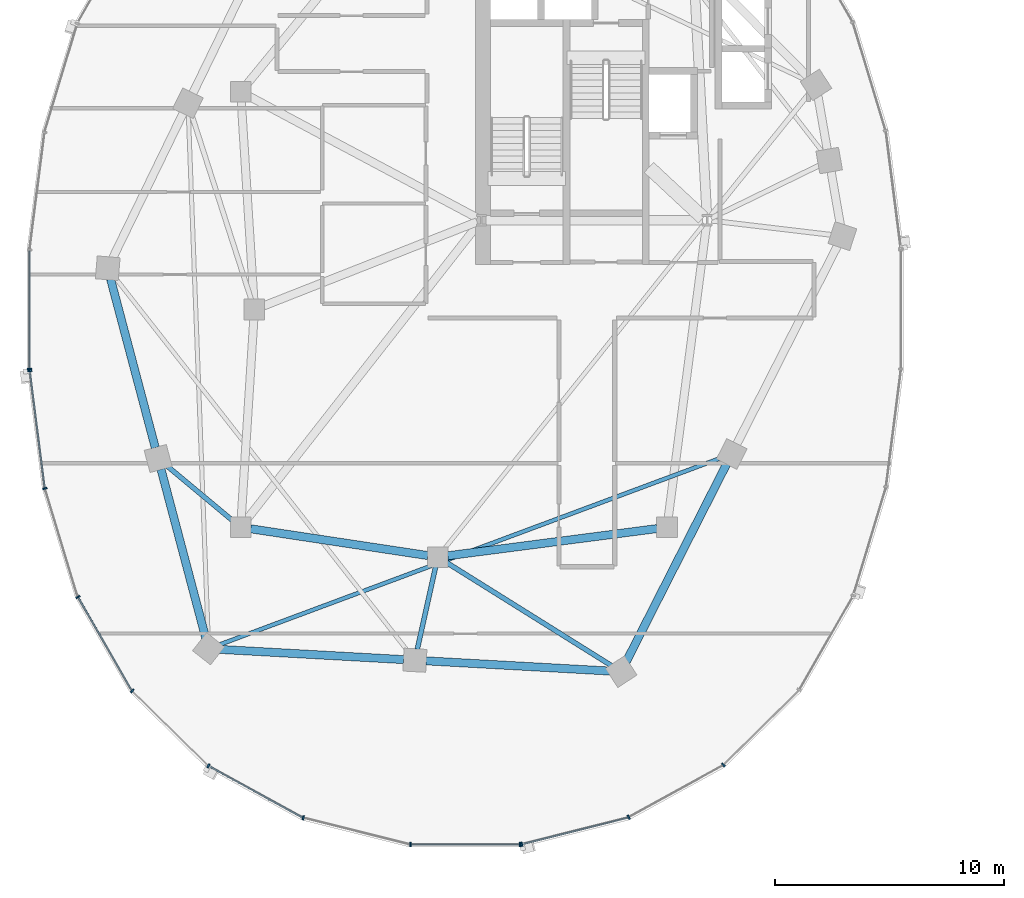
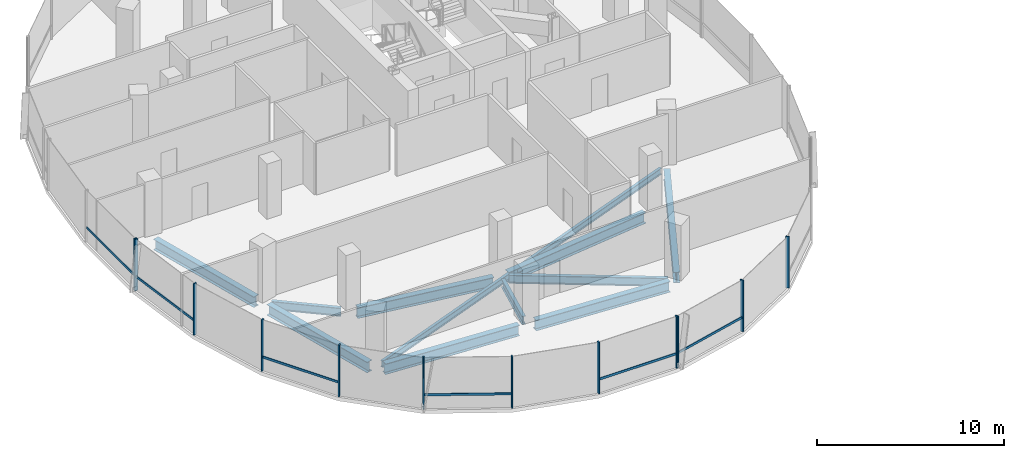
# One storey, part 2 of 23: 18 members, 11 beams, 3 elements without a shape of their own.
"""IFC4 building model written with IfcOpenShell, lengths in metres."""

from ifc_helpers import new_model, si_unit, direction, frame, origin, origin_2d, place, context, subcontext, project, spatial, rectangle, i_section, extrude, material, material_profile, profile_set, type_object, element, aggregate, save


model = new_model("IFC4")

# Units and contexts
model_context = context("Model", 3, precision=1e-05, world=origin(), true_north=direction((0.0, 1.0)))
body_context = subcontext(model_context, "Body", "Model", "MODEL_VIEW")
ifc_project = project(units=[si_unit("LENGTHUNIT", "METRE"), si_unit("AREAUNIT", "SQUARE_METRE"), si_unit("VOLUMEUNIT", "CUBIC_METRE"), si_unit("PLANEANGLEUNIT", "RADIAN"), si_unit("MASSUNIT", "GRAM", prefix="KILO"), si_unit("THERMODYNAMICTEMPERATUREUNIT", "KELVIN"), si_unit("POWERUNIT", "WATT")], contexts=[model_context])

# Site, building, storey
site_placement = place(None, origin())
site = spatial("IfcSite", under=ifc_project, at=site_placement, CompositionType="ELEMENT")
building_placement = place(site_placement, origin())
building = spatial("IfcBuilding", under=site, at=building_placement, Name="Cundina Bronze Exchange", CompositionType="ELEMENT")
storey_placement = place(building_placement, frame((0.0, 0.0, 169.199951171875)))
storey = spatial("IfcBuildingStorey", under=building, at=storey_placement, Name="L44", CompositionType="ELEMENT", Elevation=169.199951171875)

# Beams
ifc_material_1 = material(Name="Steel ASTM A992 Grade 50", Category="steel")
ifc_material_profile_1 = material_profile(ifc_material_1, i_section(OverallWidth=0.2119140625, OverallDepth=0.5439453125, WebThickness=0.01318359375, FlangeThickness=0.021240234375, FilletRadius=0.013916015625, at=origin_2d()), Name="W21X83", Category="steel")
ifc_profile_set_1 = profile_set([ifc_material_profile_1], Name="Steel ASTM A992 Grade 50")
beam_type_1 = type_object("IfcBeamType", Name="BM-FLR-W21A", PredefinedType="BEAM", material=ifc_profile_set_1)
beam_1_placement = place(storey_placement, frame((-42.136474609375, -9.219482421875, -0.511962890625), z_axis=(-0.768253211489, 0.640146079451, 0.0), x_axis=(-0.640146079451, -0.768253211489, 0.0)))
element("IfcBeam", 1, at=beam_1_placement, inside=storey, type_object=beam_type_1, Name="L44 Leg W Radial Floor Beam 09", PredefinedType="BEAM", context=body_context, shape_type="SweptSolid", body=[
    extrude(i_section(OverallWidth=0.2119140625, OverallDepth=0.5439453125, WebThickness=0.01318359375, FlangeThickness=0.021240234375, FilletRadius=0.013916015625, at=origin_2d()), origin(), (0.0, 0.0, 1.0), 3.760009765625),
])
beam_2_placement = place(storey_placement, frame((-33.294921875, -11.2275390625, -0.511962890625), z_axis=(-0.216923440287, -0.976188619609, 0.0), x_axis=(0.976188619609, -0.216923440287, 0.0)))
element("IfcBeam", 2, at=beam_2_placement, inside=storey, type_object=beam_type_1, Name="L44 Leg W Radial Floor Beam 11", PredefinedType="BEAM", context=body_context, shape_type="SweptSolid", body=[
    extrude(i_section(OverallWidth=0.2119140625, OverallDepth=0.5439453125, WebThickness=0.01318359375, FlangeThickness=0.021240234375, FilletRadius=0.013916015625, at=origin_2d()), origin(), (0.0, 0.0, 1.0), 3.68359375),
])
beam_3_placement = place(storey_placement, frame((-32.82861328125, -11.031982421875, -0.511962890625), z_axis=(0.847985407265, -0.530019574228, 0.0), x_axis=(0.530019574228, 0.847985407265, 0.0)))
element("IfcBeam", 3, at=beam_3_placement, inside=storey, type_object=beam_type_1, Name="L44 Leg W Radial Floor Beam 12", PredefinedType="BEAM", context=body_context, shape_type="SweptSolid", body=[
    extrude(i_section(OverallWidth=0.2119140625, OverallDepth=0.5439453125, WebThickness=0.01318359375, FlangeThickness=0.021240234375, FilletRadius=0.013916015625, at=origin_2d()), origin(), (0.0, 0.0, 1.0), 8.50830078125),
])
ifc_material_profile_2 = material_profile(ifc_material_1, i_section(OverallWidth=0.178955078125, OverallDepth=0.409912109375, WebThickness=0.0087890625, FlangeThickness=0.014404296875, FilletRadius=0.010986328125, at=origin_2d()), Name="W16X45", Category="steel")
ifc_profile_set_2 = profile_set([ifc_material_profile_2], Name="Steel ASTM A992 Grade 50")
beam_type_2 = type_object("IfcBeamType", Name="BM-JST-W16", PredefinedType="JOIST", material=ifc_profile_set_2)
beam_4_placement = place(storey_placement, frame((-42.74267578125, -14.629638671875, -0.445068359375), z_axis=(0.937127922351, 0.348986041483, 0.0), x_axis=(-0.348986041483, 0.937127922351, 0.0)))
element("IfcBeam", 4, at=beam_4_placement, inside=storey, type_object=beam_type_2, Name="L44 Leg W Lobe Floor Joist 10-13", PredefinedType="JOIST", context=body_context, shape_type="SweptSolid", body=[
    extrude(i_section(OverallWidth=0.178955078125, OverallDepth=0.409912109375, WebThickness=0.0087890625, FlangeThickness=0.014404296875, FilletRadius=0.010986328125, at=origin_2d()), origin(), (0.0, 0.0, 1.0), 23.38037109375),
])
ifc_material_profile_3 = material_profile(ifc_material_1, i_section(OverallWidth=0.35498046875, OverallDepth=0.695068359375, WebThickness=0.015380859375, FlangeThickness=0.02490234375, FilletRadius=0.01806640625, at=origin_2d()), Name="W27X146", Category="steel")
ifc_profile_set_3 = profile_set([ifc_material_profile_3], Name="Steel ASTM A992 Grade 50")
beam_type_3 = type_object("IfcBeamType", Name="BM-RING-W27", PredefinedType="USERDEFINED", material=ifc_profile_set_3)
beam_5_placement = place(storey_placement, frame((-41.366943359375, -9.5654296875, -0.58740234375), z_axis=(0.988764903598, -0.149478979839, 0.0), x_axis=(0.149478979839, 0.988764903598, 0.0)))
element("IfcBeam", 5, at=beam_5_placement, inside=storey, type_object=beam_type_3, Name="L44 W Inner Structural Ring Girder 05", ObjectType="GIRDER", PredefinedType="USERDEFINED", context=body_context, shape_type="SweptSolid", body=[
    extrude(i_section(OverallWidth=0.35498046875, OverallDepth=0.695068359375, WebThickness=0.015380859375, FlangeThickness=0.02490234375, FilletRadius=0.01806640625, at=origin_2d()), origin(), (0.0, 0.0, 1.0), 7.82177734375),
])
beam_6_placement = place(storey_placement, frame((-32.765625, -10.743408203125, -0.58740234375), z_axis=(0.991656498582, 0.128908451316, 0.0), x_axis=(-0.128908451316, 0.991656498582, 0.0)))
element("IfcBeam", 6, at=beam_6_placement, inside=storey, type_object=beam_type_3, Name="L44 W Inner Structural Ring Girder 06", ObjectType="GIRDER", PredefinedType="USERDEFINED", context=body_context, shape_type="SweptSolid", body=[
    extrude(i_section(OverallWidth=0.35498046875, OverallDepth=0.695068359375, WebThickness=0.015380859375, FlangeThickness=0.02490234375, FilletRadius=0.01806640625, at=origin_2d()), origin(), (0.0, 0.0, 1.0), 9.208251953125),
])
for number, where, z_axis, x_axis, name in (
    (7, (-47.47509765625, 1.328369140625, -0.58740234375), (0.256240814108, -0.966612975904, 0.0), (0.966612975904, 0.256240814108, 0.0), "L44 W Perimeter Ring Girder 08"),
    (8, (-45.27490234375, -6.9716796875, -0.58740234375), (0.256210841755, -0.96662092082, 0.0), (0.96662092082, 0.256210841755, 0.0), "L44 W Perimeter Ring Girder 09"),
):
    element("IfcBeam", number, at=place(storey_placement, frame(where, z_axis=z_axis, x_axis=x_axis)), inside=storey, type_object=beam_type_3, Name=name, ObjectType="GIRDER", PredefinedType="USERDEFINED", context=body_context, shape_type="SweptSolid", body=[
        extrude(i_section(OverallWidth=0.35498046875, OverallDepth=0.695068359375, WebThickness=0.015380859375, FlangeThickness=0.02490234375, FilletRadius=0.01806640625, at=origin_2d()), origin(), (0.0, 0.0, 1.0), 7.61083984375),
    ])
for number, where, z_axis, x_axis, name in (
    (9, (-42.712890625, -14.8271484375, -0.58740234375), (0.998460820451, -0.055461608559, 0.0), (0.055461608559, 0.998460820451, 0.0), "L44 W Perimeter Ring Girder 10"),
    (10, (-33.712890625, -15.3271484375, -0.58740234375), (0.998460820451, -0.055461608559, 0.0), (0.055461608559, 0.998460820451, 0.0), "L44 W Perimeter Ring Girder 11"),
):
    element("IfcBeam", number, at=place(storey_placement, frame(where, z_axis=z_axis, x_axis=x_axis)), inside=storey, type_object=beam_type_3, Name=name, ObjectType="GIRDER", PredefinedType="USERDEFINED", context=body_context, shape_type="SweptSolid", body=[
        extrude(i_section(OverallWidth=0.35498046875, OverallDepth=0.695068359375, WebThickness=0.015380859375, FlangeThickness=0.02490234375, FilletRadius=0.01806640625, at=origin_2d()), origin(), (0.0, 0.0, 1.0), 8.0380859375),
    ])
beam_7_placement = place(storey_placement, frame((-24.97900390625, -15.364990234375, -0.58740234375), z_axis=(0.452834585354, 0.891594548159, 0.0), x_axis=(-0.891594548159, 0.452834585354, 0.0)))
element("IfcBeam", 11, at=beam_7_placement, inside=storey, type_object=beam_type_3, Name="L44 W Perimeter Ring Girder 12", ObjectType="GIRDER", PredefinedType="USERDEFINED", context=body_context, shape_type="SweptSolid", body=[
    extrude(i_section(OverallWidth=0.35498046875, OverallDepth=0.695068359375, WebThickness=0.015380859375, FlangeThickness=0.02490234375, FilletRadius=0.01806640625, at=origin_2d()), origin(), (0.0, 0.0, 1.0), 9.67919921875),
])

# Curtain wall, member
ifc_material_2 = material(Name="Anodised Bronze Aluminium 6063-T6", Category="aluminium")
curtain_wall_type = type_object("IfcCurtainWallType", Name="CWS-WST-PIN", PredefinedType="NOTDEFINED", material=ifc_material_2)
curtain_wall_1_placement = place(storey_placement, origin())
curtain_wall_1 = element("IfcCurtainWall", 12, at=curtain_wall_1_placement, inside=storey, type_object=curtain_wall_type, Name="L44 CW-04 Curtain Wall Run CWR-L44-W2", PredefinedType="NOTDEFINED")
ifc_material_profile_4 = material_profile(ifc_material_2, rectangle(XDim=0.070068359375, YDim=0.18994140625, at=origin_2d()), Name="AL70X190", Category="aluminium")
ifc_profile_set_4 = profile_set([ifc_material_profile_4], Name="Anodised Bronze Aluminium 6063-T6")
member_type_1 = type_object("IfcMemberType", Name="CWM-MUL-190", PredefinedType="MULLION", material=ifc_profile_set_4)
member_1_placement = place(storey_placement, frame((-51.007080078125, -2.593017578125, 0.0), z_axis=(0.0, 0.0, 1.0), x_axis=(0.0, -1.0, 0.0)))
member_1 = element("IfcMember", 13, at=member_1_placement, type_object=member_type_1, Name="CW-04 End Mullion", PredefinedType="MULLION", context=body_context, shape_type="SweptSolid", body=[
    extrude(rectangle(XDim=0.070068359375, YDim=0.18994140625, at=origin_2d()), origin(), (0.0, 0.0, 1.0), 3.360107421875),
])

# Curtain wall, members
curtain_wall_2_placement = place(storey_placement, origin())
curtain_wall_2 = element("IfcCurtainWall", 14, at=curtain_wall_2_placement, inside=storey, type_object=curtain_wall_type, Name="L44 CW-04 Curtain Wall Run CWR-L44-W3", PredefinedType="NOTDEFINED")
member_2_placement = place(storey_placement, frame((-51.001708984375, -2.676025390625, 0.0), z_axis=(0.0, 0.0, 1.0), x_axis=(0.126545236492, -0.991960837494, 0.0)))
member_2 = element("IfcMember", 15, at=member_2_placement, type_object=member_type_1, Name="CW-04 Mullion 1", PredefinedType="MULLION", context=body_context, shape_type="SweptSolid", body=[
    extrude(rectangle(XDim=0.070068359375, YDim=0.18994140625, at=origin_2d()), origin(), (0.0, 0.0, 1.0), 3.360107421875),
])
member_3_placement = place(storey_placement, frame((-50.3408203125, -7.80859375, 0.0), z_axis=(0.0, 0.0, 1.0), x_axis=(0.290034140915, -0.957016299288, 0.0)))
member_3 = element("IfcMember", 16, at=member_3_placement, type_object=member_type_1, Name="CW-04 Mullion 2", PredefinedType="MULLION", context=body_context, shape_type="SweptSolid", body=[
    extrude(rectangle(XDim=0.070068359375, YDim=0.18994140625, at=origin_2d()), origin(), (0.0, 0.0, 1.0), 3.360107421875),
])
member_4_placement = place(storey_placement, frame((-48.89794921875, -12.541259765625, 0.0), z_axis=(0.0, 0.0, 1.0), x_axis=(0.498487739754, -0.866896748936, 0.0)))
member_4 = element("IfcMember", 17, at=member_4_placement, type_object=member_type_1, Name="CW-04 Mullion 3", PredefinedType="MULLION", context=body_context, shape_type="SweptSolid", body=[
    extrude(rectangle(XDim=0.070068359375, YDim=0.18994140625, at=origin_2d()), origin(), (0.0, 0.0, 1.0), 3.360107421875),
])
member_5_placement = place(storey_placement, frame((-46.530517578125, -16.640380859375, 0.0), z_axis=(0.0, 0.0, 1.0), x_axis=(0.712026045991, -0.702153052995, 0.0)))
member_5 = element("IfcMember", 18, at=member_5_placement, type_object=member_type_1, Name="CW-04 Mullion 4", PredefinedType="MULLION", context=body_context, shape_type="SweptSolid", body=[
    extrude(rectangle(XDim=0.070068359375, YDim=0.18994140625, at=origin_2d()), origin(), (0.0, 0.0, 1.0), 3.360107421875),
])
member_6_placement = place(storey_placement, frame((-43.20654296875, -19.906005859375, 0.0), z_axis=(0.0, 0.0, 1.0), x_axis=(0.875885937035, -0.482518212408, 0.0)))
member_6 = element("IfcMember", 19, at=member_6_placement, type_object=member_type_1, Name="CW-04 Mullion 5", PredefinedType="MULLION", context=body_context, shape_type="SweptSolid", body=[
    extrude(rectangle(XDim=0.070068359375, YDim=0.18994140625, at=origin_2d()), origin(), (0.0, 0.0, 1.0), 3.360107421875),
])
member_7_placement = place(storey_placement, frame((-39.067626953125, -22.17626953125, 0.0), z_axis=(0.0, 0.0, 1.0), x_axis=(0.970084240161, -0.242768546132, 0.0)))
member_7 = element("IfcMember", 20, at=member_7_placement, type_object=member_type_1, Name="CW-04 Mullion 6", PredefinedType="MULLION", context=body_context, shape_type="SweptSolid", body=[
    extrude(rectangle(XDim=0.070068359375, YDim=0.18994140625, at=origin_2d()), origin(), (0.0, 0.0, 1.0), 3.360107421875),
])
member_8_placement = place(storey_placement, frame((-34.39404296875, -23.3369140625, 0.0), z_axis=(0.0, 0.0, 1.0), x_axis=(1.0, 0.0, 0.0)))
member_8 = element("IfcMember", 21, at=member_8_placement, type_object=member_type_1, Name="CW-04 Mullion 7", PredefinedType="MULLION", context=body_context, shape_type="SweptSolid", body=[
    extrude(rectangle(XDim=0.070068359375, YDim=0.18994140625, at=origin_2d()), origin(), (0.0, 0.0, 1.0), 3.360107421875),
])
member_9_placement = place(storey_placement, frame((-29.60595703125, -23.3369140625, 0.0), z_axis=(0.0, 0.0, 1.0), x_axis=(1.0, 0.0, 0.0)))
member_9 = element("IfcMember", 22, at=member_9_placement, type_object=member_type_1, Name="CW-04 End Mullion", PredefinedType="MULLION", context=body_context, shape_type="SweptSolid", body=[
    extrude(rectangle(XDim=0.070068359375, YDim=0.18994140625, at=origin_2d()), origin(), (0.0, 0.0, 1.0), 3.360107421875),
])

curtain_wall_3_placement = place(storey_placement, origin())
curtain_wall_3 = element("IfcCurtainWall", 23, at=curtain_wall_3_placement, inside=storey, type_object=curtain_wall_type, Name="L44 CW-04 Curtain Wall Run CWR-L44-W4", PredefinedType="NOTDEFINED")
member_10_placement = place(storey_placement, frame((-29.537353515625, -23.32861328125, 0.0), z_axis=(0.0, 0.0, 1.0), x_axis=(0.970084240161, 0.242768546132, 0.0)))
member_10 = element("IfcMember", 24, at=member_10_placement, type_object=member_type_1, Name="CW-04 Mullion 1", PredefinedType="MULLION", context=body_context, shape_type="SweptSolid", body=[
    extrude(rectangle(XDim=0.070068359375, YDim=0.18994140625, at=origin_2d()), origin(), (0.0, 0.0, 1.0), 3.360107421875),
])
member_11_placement = place(storey_placement, frame((-24.86962890625, -22.151611328125, 0.0), z_axis=(0.0, 0.0, 1.0), x_axis=(0.875885937035, 0.482518212408, 0.0)))
member_11 = element("IfcMember", 25, at=member_11_placement, type_object=member_type_1, Name="CW-04 Mullion 2", PredefinedType="MULLION", context=body_context, shape_type="SweptSolid", body=[
    extrude(rectangle(XDim=0.070068359375, YDim=0.18994140625, at=origin_2d()), origin(), (0.0, 0.0, 1.0), 3.360107421875),
])
member_12_placement = place(storey_placement, frame((-20.740966796875, -19.86669921875, 0.0), z_axis=(0.0, 0.0, 1.0), x_axis=(0.712026045991, 0.702153052995, 0.0)))
member_12 = element("IfcMember", 26, at=member_12_placement, type_object=member_type_1, Name="CW-04 Mullion 3", PredefinedType="MULLION", context=body_context, shape_type="SweptSolid", body=[
    extrude(rectangle(XDim=0.070068359375, YDim=0.18994140625, at=origin_2d()), origin(), (0.0, 0.0, 1.0), 3.360107421875),
])

# Member
ifc_material_profile_5 = material_profile(ifc_material_2, rectangle(XDim=0.06494140625, YDim=0.14990234375, at=origin_2d()), Name="AL65X150", Category="aluminium")
ifc_profile_set_5 = profile_set([ifc_material_profile_5], Name="Anodised Bronze Aluminium 6063-T6")
member_type_2 = type_object("IfcMemberType", Name="CWM-TRN-150", PredefinedType="USERDEFINED", material=ifc_profile_set_5)
member_13_placement = place(storey_placement, frame((-51.007080078125, 2.554443359375, 0.920166015625), z_axis=(0.0, -1.0, 0.0), x_axis=(1.0, 0.0, 0.0)))
member_13 = element("IfcMember", 27, at=member_13_placement, type_object=member_type_2, Name="CW-04 Spandrel Transom 7", ObjectType="TRANSOM", PredefinedType="USERDEFINED", context=body_context, shape_type="SweptSolid", body=[
    extrude(rectangle(XDim=0.06494140625, YDim=0.14990234375, at=origin_2d()), origin(), (0.0, 0.0, 1.0), 5.10888671875),
])

aggregate(curtain_wall_1, [member_1, member_13])

member_14_placement = place(storey_placement, frame((-50.996826171875, -2.71435546875, 0.920166015625), z_axis=(0.12646340362, -0.991971273548, 0.0), x_axis=(0.991971273548, 0.12646340362, 0.0)))
member_14 = element("IfcMember", 28, at=member_14_placement, type_object=member_type_2, Name="CW-04 Spandrel Transom 1", ObjectType="TRANSOM", PredefinedType="USERDEFINED", context=body_context, shape_type="SweptSolid", body=[
    extrude(rectangle(XDim=0.06494140625, YDim=0.14990234375, at=origin_2d()), origin(), (0.0, 0.0, 1.0), 5.0966796875),
])

member_15_placement = place(storey_placement, frame((-48.878662109375, -12.574462890625, 0.920166015625), z_axis=(0.498479967047, -0.866901218394, 0.0), x_axis=(0.866901218394, 0.498479967047, 0.0)))
member_15 = element("IfcMember", 29, at=member_15_placement, type_object=member_type_2, Name="CW-04 Spandrel Transom 3", ObjectType="TRANSOM", PredefinedType="USERDEFINED", context=body_context, shape_type="SweptSolid", body=[
    extrude(rectangle(XDim=0.06494140625, YDim=0.14990234375, at=origin_2d()), origin(), (0.0, 0.0, 1.0), 4.66845703125),
])

member_16_placement = place(storey_placement, frame((-43.1728515625, -19.924560546875, 0.920166015625), z_axis=(0.875878981549, -0.482530838062, 0.0), x_axis=(0.482530838062, 0.875878981549, 0.0)))
member_16 = element("IfcMember", 30, at=member_16_placement, type_object=member_type_2, Name="CW-04 Spandrel Transom 5", ObjectType="TRANSOM", PredefinedType="USERDEFINED", context=body_context, shape_type="SweptSolid", body=[
    extrude(rectangle(XDim=0.06494140625, YDim=0.14990234375, at=origin_2d()), origin(), (0.0, 0.0, 1.0), 4.65380859375),
])

member_17_placement = place(storey_placement, frame((-34.35546875, -23.3369140625, 0.920166015625), z_axis=(1.0, 0.0, 0.0), x_axis=(0.0, 1.0, 0.0)))
member_17 = element("IfcMember", 31, at=member_17_placement, type_object=member_type_2, Name="CW-04 Spandrel Transom 7", ObjectType="TRANSOM", PredefinedType="USERDEFINED", context=body_context, shape_type="SweptSolid", body=[
    extrude(rectangle(XDim=0.06494140625, YDim=0.14990234375, at=origin_2d()), origin(), (0.0, 0.0, 1.0), 4.7109375),
])

aggregate(curtain_wall_2, [member_2, member_14, member_3, member_4, member_15, member_5, member_6, member_16, member_7, member_8, member_9, member_17])

member_18_placement = place(storey_placement, frame((-29.5, -23.319091796875, 0.920166015625), z_axis=(0.970100130035, 0.242705042606, 0.0), x_axis=(-0.242705042606, 0.970100130035, 0.0)))
member_18 = element("IfcMember", 32, at=member_18_placement, type_object=member_type_2, Name="CW-04 Spandrel Transom 1", ObjectType="TRANSOM", PredefinedType="USERDEFINED", context=body_context, shape_type="SweptSolid", body=[
    extrude(rectangle(XDim=0.06494140625, YDim=0.14990234375, at=origin_2d()), origin(), (0.0, 0.0, 1.0), 4.746826171875),
])

aggregate(curtain_wall_3, [member_10, member_18, member_11, member_12])

save(model, "model.ifc")
